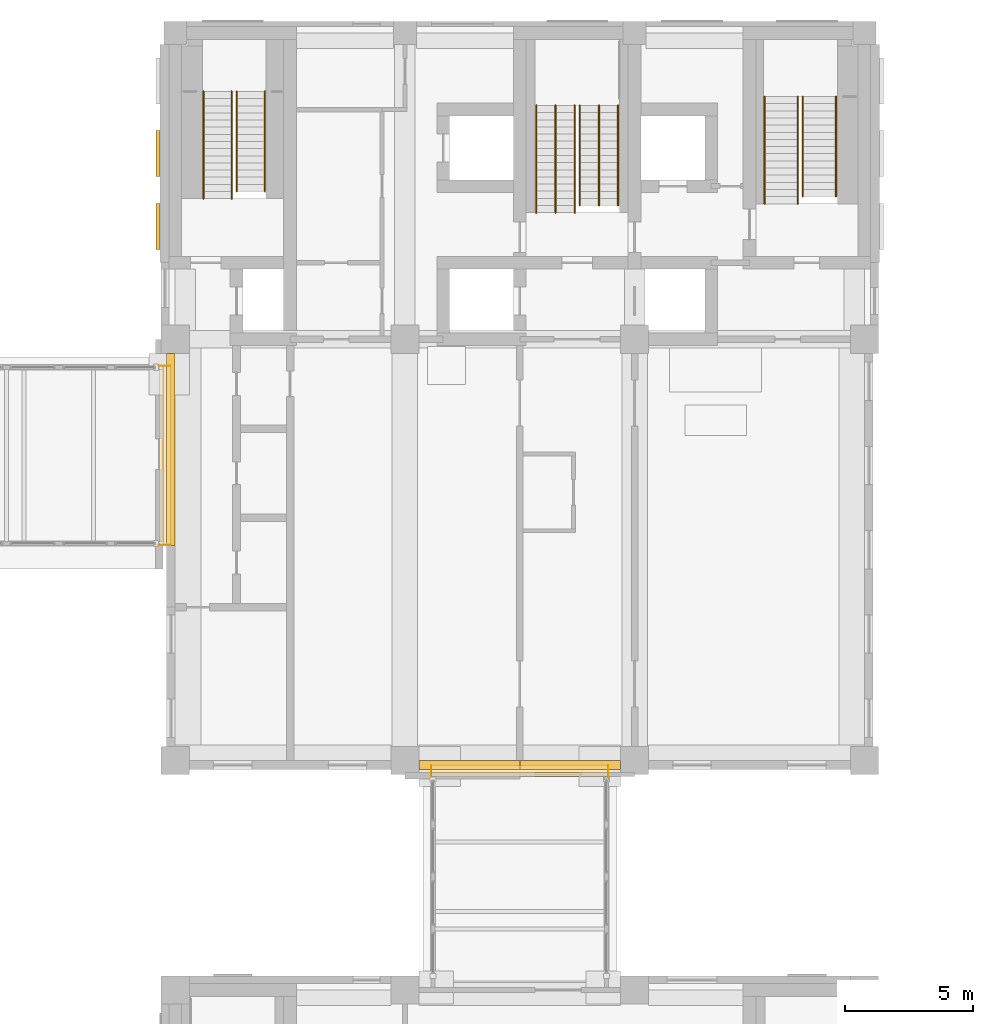
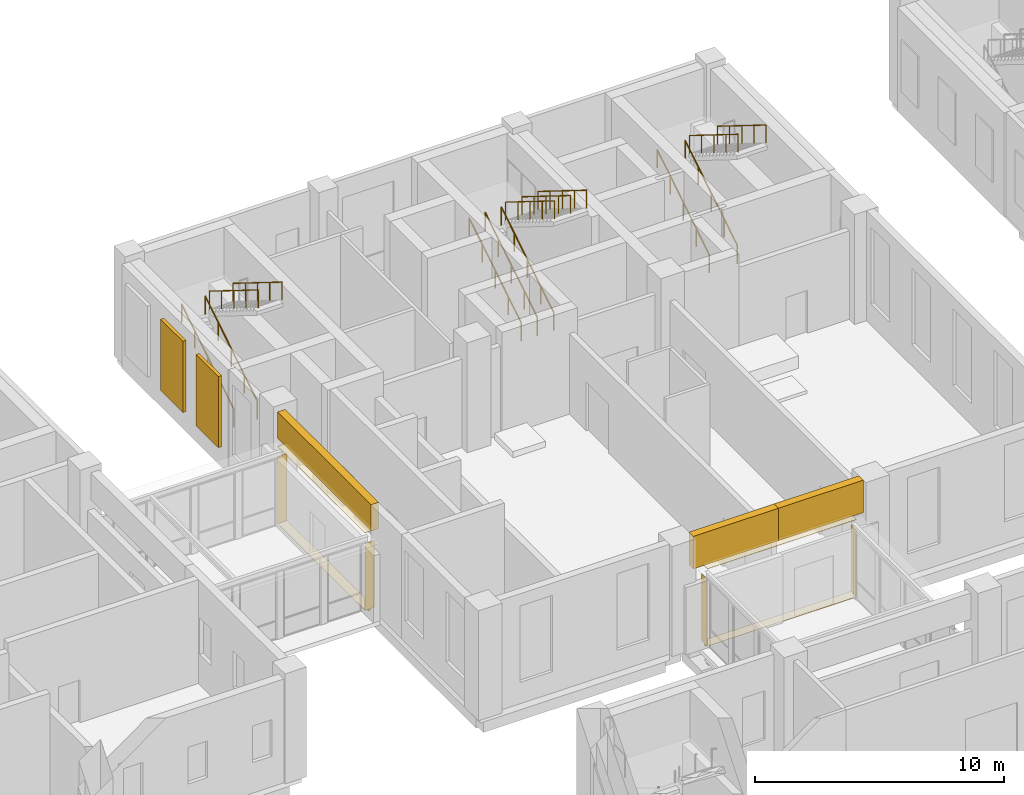
# One storey, part 46 of 52: 15 coverings, 14 railings.
"""IFC4 building model written with IfcOpenShell, lengths in metres."""

import ifcopenshell
import ifcopenshell.guid

model = None  # the IFC model being written
_history = None  # IfcOwnerHistory: only IFC2X3 demands one
_inside = {}  # id of a spatial element -> (the spatial element, [elements in it])
_under = {}  # id of a project, library or spatial element -> (it, [spatial elements below it])
_declared = {}  # id of a project -> (the project, [libraries it declares])
_typed = {}  # id of a type object -> (the type object, [elements of that type])
_made_of = {}  # id of a material, layer set ... -> (it, [elements and type objects made of it])


def new_model(schema):
    """Start an empty IFC model of exactly this schema.

    Asked for "IFC4X3", IfcOpenShell would pick the latest addendum, in which some entities
    have other attributes; the version numbers below select the first issue.
    IFC2X3 requires an IfcOwnerHistory on every rooted entity: one is made here for all.
    """
    global model, _history
    if schema == "IFC4X3":
        model = ifcopenshell.file(schema_version=(4, 3, 0, 0))
    else:
        model = ifcopenshell.file(schema=schema)
    _inside.clear()
    _under.clear()
    _declared.clear()
    _typed.clear()
    _made_of.clear()
    _history = None
    if model.schema == "IFC2X3":
        org = make("IfcOrganization", Name="unknown")
        user = make(
            "IfcPersonAndOrganization",
            ThePerson=make("IfcPerson", FamilyName="unknown"),
            TheOrganization=org,
        )
        app = make(
            "IfcApplication",
            ApplicationDeveloper=org,
            Version="unknown",
            ApplicationFullName="unknown",
            ApplicationIdentifier="unknown",
        )
        _history = make(
            "IfcOwnerHistory",
            OwningUser=user,
            OwningApplication=app,
            ChangeAction="ADDED",
            CreationDate=0,
        )
    return model


def make(cls, **values):
    """One entity of the class cls with the attributes given. An attribute that is None is left unset."""
    return model.create_entity(
        cls, **{name: value for name, value in values.items() if value is not None}
    )


def rooted(cls, **values):
    """An entity with a GlobalId (a new one), such as an element, a storey or a relation."""
    return make(cls, GlobalId=ifcopenshell.guid.new(), OwnerHistory=_history, **values)


def si_unit(unit_type, name, prefix=None):
    """IfcSIUnit, for example si_unit("LENGTHUNIT", "METRE", prefix="MILLI")."""
    return make("IfcSIUnit", UnitType=unit_type, Prefix=prefix, Name=name)


def assignment(units):
    """IfcUnitAssignment: the units of a project."""
    return None if units is None else make("IfcUnitAssignment", Units=units)


def point(xyz):
    """IfcCartesianPoint."""
    return None if xyz is None else make("IfcCartesianPoint", Coordinates=xyz)


def direction(xyz):
    """IfcDirection."""
    return None if xyz is None else make("IfcDirection", DirectionRatios=xyz)


def frame(location, z_axis=None, x_axis=None):
    """IfcAxis2Placement3D, a coordinate frame: its origin and axes. An axis left out is left unset."""
    return make(
        "IfcAxis2Placement3D",
        Location=point(location),
        Axis=direction(z_axis),
        RefDirection=direction(x_axis),
    )


def frame_2d(location, x_axis=None):
    """IfcAxis2Placement2D, a coordinate frame in the plane: its origin and x axis."""
    return make(
        "IfcAxis2Placement2D", Location=point(location), RefDirection=direction(x_axis)
    )


def origin():
    """The frame at (0, 0, 0) with its axes left unset."""
    return frame((0.0, 0.0, 0.0))


def origin_2d():
    """The frame at (0, 0) in the plane with its x axis left unset."""
    return frame_2d((0.0, 0.0))


def place(relative_to, where):
    """IfcLocalPlacement: puts the frame where relative to a parent placement (None: the world)."""
    return make(
        "IfcLocalPlacement", PlacementRelTo=relative_to, RelativePlacement=where
    )


def context(
    kind, dimensions, precision=None, world=None, true_north=None, identifier=None
):
    """IfcGeometricRepresentationContext, for example the 3D "Model" context."""
    return make(
        "IfcGeometricRepresentationContext",
        ContextIdentifier=identifier,
        ContextType=kind,
        CoordinateSpaceDimension=dimensions,
        Precision=precision,
        WorldCoordinateSystem=world,
        TrueNorth=true_north,
    )


def subcontext(parent, identifier, kind, view, scale=None):
    """IfcGeometricRepresentationSubContext, for example "Body" below "Model"."""
    return make(
        "IfcGeometricRepresentationSubContext",
        ContextIdentifier=identifier,
        ContextType=kind,
        ParentContext=parent,
        TargetScale=scale,
        TargetView=view,
    )


def project(units=None, contexts=None):
    """IfcProject with its units and contexts."""
    return rooted(
        "IfcProject",
        Name="project",
        RepresentationContexts=contexts,
        UnitsInContext=assignment(units),
    )


def spatial(cls, under=None, at=None, **own):
    """A site, building, storey or space (cls), placed at a placement, below another one or the project."""
    s = rooted(cls, ObjectPlacement=at, **own)
    if under is not None:
        _under.setdefault(under.id(), (under, []))[1].append(s)
    return s


def profile(cls, at=None, kind="AREA", **sizes):
    """A parametric profile (cls). Its sizes go by their IFC names, for example OverallWidth=200.0."""
    return make(cls, ProfileType=kind, Position=at, **sizes)


def rectangle(**sizes):
    """IfcRectangleProfileDef."""
    return profile("IfcRectangleProfileDef", **sizes)


def circle(**sizes):
    """IfcCircleProfileDef."""
    return profile("IfcCircleProfileDef", **sizes)


def extrude(swept, where, along, depth):
    """IfcExtrudedAreaSolid: the profile swept, set in the frame where, extruded along a direction by depth."""
    return make(
        "IfcExtrudedAreaSolid",
        SweptArea=swept,
        Position=where,
        ExtrudedDirection=direction(along),
        Depth=depth,
    )


def shape(context_of_items, identifier, shape_type, items):
    """IfcShapeRepresentation: the items that make up one representation, for example the "Body"."""
    return make(
        "IfcShapeRepresentation",
        ContextOfItems=context_of_items,
        RepresentationIdentifier=identifier,
        RepresentationType=shape_type,
        Items=items,
    )


def material(Name=None, Category=None):
    """IfcMaterial."""
    return make("IfcMaterial", Name=Name, Category=Category)


def layer(
    of_material, thickness, ventilated=None, Name=None, Category=None, Priority=None
):
    """IfcMaterialLayer: one layer of a wall or slab, of a material (None: an air gap)."""
    return make(
        "IfcMaterialLayer",
        Material=of_material,
        LayerThickness=thickness,
        IsVentilated=ventilated,
        Name=Name,
        Category=Category,
        Priority=Priority,
    )


def layer_set(layers, Name=None):
    """IfcMaterialLayerSet."""
    return make("IfcMaterialLayerSet", MaterialLayers=layers, LayerSetName=Name)


def made_of(thing, what):
    """Note that an element or type object is made of a material, layer set ...; save() writes the relation."""
    if what is not None:
        _made_of.setdefault(what.id(), (what, []))[1].append(thing)
    return thing


def type_object(cls, material=None, **own):
    """A type object (cls), such as IfcWallType, which elements share."""
    return made_of(rooted(cls, **own), material)


def element(
    cls,
    number,
    at=None,
    inside=None,
    cuts=None,
    type_object=None,
    material=None,
    context=None,
    identifier="Body",
    shape_type=None,
    held_by="IfcProductDefinitionShape",
    body=None,
    shapes=None,
    **own,
):
    """One element of the class cls, such as IfcWall. Its Tag is "e" and its number.

    at: its placement. inside: the storey or other place that contains it. cuts: it is an
    opening in that element (IfcRelVoidsElement). A single representation is given by context,
    identifier, shape_type and body (its items); several are given by shapes. held_by: the class
    of the entity that holds the representations. save() writes the other relations.
    """
    e = rooted(cls, Tag="e%d" % number, ObjectPlacement=at, **own)
    if body is not None:
        shapes = [shape(context, identifier, shape_type, body)]
    if shapes is not None:
        e.Representation = make(held_by, Representations=shapes)
    if inside is not None:
        _inside.setdefault(inside.id(), (inside, []))[1].append(e)
    if cuts is not None:
        rooted(
            "IfcRelVoidsElement", RelatingBuildingElement=cuts, RelatedOpeningElement=e
        )
    if type_object is not None:
        _typed.setdefault(type_object.id(), (type_object, []))[1].append(e)
    return made_of(e, material)


def aggregate(whole, parts):
    """IfcRelAggregates: a whole, such as a stair, and the parts it consists of."""
    return rooted("IfcRelAggregates", RelatingObject=whole, RelatedObjects=parts)


def save(model, path):
    """Write the relations noted so far, then the file.

    IfcRelAggregates (storeys below a building ...), IfcRelContainedInSpatialStructure (elements
    in a storey), IfcRelDefinesByType, IfcRelAssociatesMaterial and IfcRelDeclares: one each for
    every whole, place, type object, material and project.
    """
    for whole, parts in _under.values():
        aggregate(whole, parts)
    for where, things in _inside.values():
        rooted(
            "IfcRelContainedInSpatialStructure",
            RelatedElements=things,
            RelatingStructure=where,
        )
    for kind, things in _typed.values():
        rooted("IfcRelDefinesByType", RelatedObjects=things, RelatingType=kind)
    for what, things in _made_of.values():
        rooted("IfcRelAssociatesMaterial", RelatedObjects=things, RelatingMaterial=what)
    for by, libraries in _declared.values():
        rooted("IfcRelDeclares", RelatingContext=by, RelatedDefinitions=libraries)
    model.write(path)


model = new_model("IFC4")

# Units and contexts
model_context = context("Model", 3, precision=1e-05, world=origin(), true_north=direction((0.0, 1.0)))
body_context = subcontext(model_context, "Body", "Model", "MODEL_VIEW")
ifc_project = project(units=[si_unit("LENGTHUNIT", "METRE"), si_unit("AREAUNIT", "SQUARE_METRE"), si_unit("VOLUMEUNIT", "CUBIC_METRE"), si_unit("PLANEANGLEUNIT", "RADIAN"), si_unit("MASSUNIT", "GRAM", prefix="KILO")], contexts=[model_context])

# Site, building, storey
site_placement = place(None, origin())
site = spatial("IfcSite", under=ifc_project, at=site_placement, CompositionType="ELEMENT")
building_placement = place(site_placement, origin())
building = spatial("IfcBuilding", under=site, at=building_placement, Name="Aurelan Courthouse", CompositionType="ELEMENT")
storey_placement = place(building_placement, frame((0.0, 0.0, 6.60009765625)))
storey = spatial("IfcBuildingStorey", under=building, at=storey_placement, Name="L01", CompositionType="ELEMENT", Elevation=6.60009765625)

# Coverings
ifc_material_1 = material(Name="Granite cladding", Category="masonry")
ifc_layer_1 = layer(ifc_material_1, 0.35009765625)
ifc_layer_set_1 = layer_set([ifc_layer_1], Name="Granite cladding")
covering_type_1 = type_object("IfcCoveringType", Name="Granite infill panel 350", PredefinedType="CLADDING", material=ifc_layer_set_1)
for number, where, z_axis, x_axis, name in (
    (1, (47.52490234375, 37.324951171875, 3.7998046875), (0.0, 0.0, 1.0), (1.0, 0.0, 0.0), "Facade infill panel FI-V2-L01-001"),
    (2, (51.47509765625, 37.324951171875, 3.7998046875), (0.0, 0.0, 1.0), (1.0, 0.0, 0.0), "Facade infill panel FI-V2-L01-002"),
):
    element("IfcCovering", number, at=place(storey_placement, frame(where, z_axis=z_axis, x_axis=x_axis)), inside=storey, type_object=covering_type_1, Name=name, PredefinedType="CLADDING", context=body_context, shape_type="SweptSolid", body=[
        extrude(rectangle(XDim=3.949951171875, YDim=0.35009765625, at=origin_2d()), origin(), (0.0, 0.0, 1.0), 1.60009765625),
    ])
covering_1_placement = place(storey_placement, frame((35.824951171875, 49.6875, 3.7998046875), z_axis=(0.0, 0.0, 1.0), x_axis=(1.0, 0.0, 0.0)))
element("IfcCovering", 3, at=covering_1_placement, inside=storey, type_object=covering_type_1, Name="Facade infill panel FI-V2-L01-003", PredefinedType="CLADDING", context=body_context, shape_type="SweptSolid", body=[
    extrude(rectangle(XDim=0.35009765625, YDim=7.52490234375, at=origin_2d()), origin(), (0.0, 0.0, 1.0), 1.300048828125),
])
ifc_material_2 = material(Name="Stainless steel", Category="steel")
ifc_layer_2 = layer(ifc_material_2, 0.011962890625)
ifc_layer_set_2 = layer_set([ifc_layer_2], Name="Stainless steel")
covering_type_2 = type_object("IfcCoveringType", Name="Joint cover plate 450 x 12", PredefinedType="FLOORING", material=ifc_layer_set_2)
covering_2_placement = place(storey_placement, frame((49.5, 37.08740234375, 0.0), z_axis=(0.0, 0.0, 1.0), x_axis=(1.0, 0.0, 0.0)))
element("IfcCovering", 4, at=covering_2_placement, inside=storey, type_object=covering_type_2, Name="Floor joint cover JC-F3", PredefinedType="FLOORING", context=body_context, shape_type="SweptSolid", body=[
    extrude(rectangle(XDim=6.919921875, YDim=0.449951171875, at=origin_2d()), origin(), (0.0, 0.0, 1.0), 0.011962890625),
])
covering_3_placement = place(storey_placement, frame((35.58740234375, 49.449951171875, 0.0), z_axis=(0.0, 0.0, 1.0), x_axis=(1.0, 0.0, 0.0)))
element("IfcCovering", 5, at=covering_3_placement, inside=storey, type_object=covering_type_2, Name="Floor joint cover JC-F4", PredefinedType="FLOORING", context=body_context, shape_type="SweptSolid", body=[
    extrude(rectangle(XDim=0.449951171875, YDim=7.02001953125, at=origin_2d()), origin(), (0.0, 0.0, 1.0), 0.011962890625),
])
ifc_material_3 = material(Name="Waterproofing membrane")
ifc_layer_3 = layer(ifc_material_3, 0.10009765625)
ifc_layer_set_3 = layer_set([ifc_layer_3], Name="Waterproofing membrane")
covering_type_3 = type_object("IfcCoveringType", Name="Joint seal 125 x 100", PredefinedType="MEMBRANE", material=ifc_layer_set_3)
covering_4_placement = place(storey_placement, frame((49.5, 37.08740234375, -0.10009765625), z_axis=(0.0, 0.0, 1.0), x_axis=(1.0, 0.0, 0.0)))
element("IfcCovering", 6, at=covering_4_placement, inside=storey, type_object=covering_type_3, Name="Joint seal JS-3", PredefinedType="MEMBRANE", context=body_context, shape_type="SweptSolid", body=[
    extrude(rectangle(XDim=6.919921875, YDim=0.125, at=origin_2d()), origin(), (0.0, 0.0, 1.0), 0.10009765625),
])
covering_5_placement = place(storey_placement, frame((35.58740234375, 49.449951171875, -0.10009765625), z_axis=(0.0, 0.0, 1.0), x_axis=(1.0, 0.0, 0.0)))
element("IfcCovering", 7, at=covering_5_placement, inside=storey, type_object=covering_type_3, Name="Joint seal JS-4", PredefinedType="MEMBRANE", context=body_context, shape_type="SweptSolid", body=[
    extrude(rectangle(XDim=0.125, YDim=7.02001953125, at=origin_2d()), origin(), (0.0, 0.0, 1.0), 0.10009765625),
])
ifc_material_4 = material(Name="Bronze sheet cladding")
ifc_layer_4 = layer(ifc_material_4, 0.14990234375)
ifc_layer_set_4 = layer_set([ifc_layer_4], Name="Bronze sheet cladding")
covering_type_4 = type_object("IfcCoveringType", Name="Relief panel 1800 x 3500 x 150", PredefinedType="CLADDING", material=ifc_layer_set_4)
for number, where, z_axis, x_axis, name in (
    (8, (35.324951171875, 58.425048828125, 1.0), (0.0, 0.0, 1.0), (1.0, 0.0, 0.0), "Relief panel RP-V2-006"),
    (9, (35.324951171875, 61.27490234375, 1.0), (0.0, 0.0, 1.0), (1.0, 0.0, 0.0), "Relief panel RP-V2-007"),
):
    element("IfcCovering", number, at=place(storey_placement, frame(where, z_axis=z_axis, x_axis=x_axis)), inside=storey, type_object=covering_type_4, Name=name, PredefinedType="CLADDING", context=body_context, shape_type="SweptSolid", body=[
        extrude(rectangle(XDim=0.14990234375, YDim=1.800048828125, at=origin_2d()), origin(), (0.0, 0.0, 1.0), 3.5),
    ])
ifc_material_5 = material(Name="Zinc standing-seam cladding")
ifc_layer_5 = layer(ifc_material_5, 0.011962890625)
ifc_layer_set_5 = layer_set([ifc_layer_5], Name="Zinc standing-seam cladding")
covering_type_5 = type_object("IfcCoveringType", Name="Roof joint cover 450 x 12", PredefinedType="ROOFING", material=ifc_layer_set_5)
covering_6_placement = place(storey_placement, frame((49.5, 37.08740234375, 3.7998046875), z_axis=(0.0, 0.0, 1.0), x_axis=(1.0, 0.0, 0.0)))
element("IfcCovering", 10, at=covering_6_placement, inside=storey, type_object=covering_type_5, Name="Roof joint cover JC-R3", PredefinedType="ROOFING", context=body_context, shape_type="SweptSolid", body=[
    extrude(rectangle(XDim=6.919921875, YDim=0.449951171875, at=origin_2d()), origin(), (0.0, 0.0, 1.0), 0.011962890625),
])
covering_7_placement = place(storey_placement, frame((35.58740234375, 49.449951171875, 3.7998046875), z_axis=(0.0, 0.0, 1.0), x_axis=(1.0, 0.0, 0.0)))
element("IfcCovering", 11, at=covering_7_placement, inside=storey, type_object=covering_type_5, Name="Roof joint cover JC-R4", PredefinedType="ROOFING", context=body_context, shape_type="SweptSolid", body=[
    extrude(rectangle(XDim=0.449951171875, YDim=7.02001953125, at=origin_2d()), origin(), (0.0, 0.0, 1.0), 0.011962890625),
])

# Railings
ifc_material_6 = material(Name="Steel S355", Category="steel")
railing_type = type_object("IfcRailingType", Name="Stair handrail 900", PredefinedType="HANDRAIL", material=ifc_material_6)
for number, where, name in (
    (12, (37.110107421875, 59.510009765625, 0.174072265625), "Handrail CS-2-L01-H1"),
    (13, (38.2099609375, 59.510009765625, 0.174072265625), "Handrail CS-2-L01-H2"),
):
    element("IfcRailing", number, at=place(storey_placement, frame(where)), inside=storey, type_object=railing_type, Name=name, PredefinedType="HANDRAIL", context=body_context, shape_type="SweptSolid", body=[
        extrude(circle(Radius=0.02392578125, at=origin_2d()), frame((0.0, 0.0, 0.8759765625), z_axis=(0.0, 0.849080710111, 0.528263142494), x_axis=(-1.0, 0.0, 0.0)), (0.0, 0.0, 1.0), 4.946533203125),
        extrude(circle(Radius=0.02099609375, at=origin_2d()), origin(), (0.0, 0.0, 1.0), 0.851806640625),
        extrude(circle(Radius=0.02099609375, at=origin_2d()), frame((0.0, 1.050048828125, 0.6533203125)), (0.0, 0.0, 1.0), 0.851806640625),
        extrude(circle(Radius=0.02099609375, at=origin_2d()), frame((0.0, 2.10009765625, 1.306640625)), (0.0, 0.0, 1.0), 0.851806640625),
        extrude(circle(Radius=0.02099609375, at=origin_2d()), frame((0.0, 3.14990234375, 1.959716796875)), (0.0, 0.0, 1.0), 0.851806640625),
        extrude(circle(Radius=0.02099609375, at=origin_2d()), frame((0.0, 4.199951171875, 2.613037109375)), (0.0, 0.0, 1.0), 0.851806640625),
    ])
for number, where, name in (
    (14, (38.409912109375, 63.7099609375, 2.961181640625), "Handrail CS-2-L01-H3"),
    (15, (39.510009765625, 63.7099609375, 2.961181640625), "Handrail CS-2-L01-H4"),
):
    element("IfcRailing", number, at=place(storey_placement, frame(where)), inside=storey, type_object=railing_type, Name=name, PredefinedType="HANDRAIL", context=body_context, shape_type="SweptSolid", body=[
        extrude(circle(Radius=0.02392578125, at=origin_2d()), frame((0.0, 0.0, 0.8759765625), z_axis=(0.0, -0.849089811655, 0.528248513243), x_axis=(1.0, 0.0, 0.0)), (0.0, 0.0, 1.0), 4.61669921875),
        extrude(circle(Radius=0.02099609375, at=origin_2d()), origin(), (0.0, 0.0, 1.0), 0.851806640625),
        extrude(circle(Radius=0.02099609375, at=origin_2d()), frame((0.0, -0.97998046875, 0.609619140625)), (0.0, 0.0, 1.0), 0.851806640625),
        extrude(circle(Radius=0.02099609375, at=origin_2d()), frame((0.0, -1.9599609375, 1.21923828125)), (0.0, 0.0, 1.0), 0.851806640625),
        extrude(circle(Radius=0.02099609375, at=origin_2d()), frame((0.0, -2.93994140625, 1.8291015625)), (0.0, 0.0, 1.0), 0.851806640625),
        extrude(circle(Radius=0.02099609375, at=origin_2d()), frame((0.0, -3.919921875, 2.438720703125)), (0.0, 0.0, 1.0), 0.851806640625),
    ])
for number, where, name in (
    (16, (50.14990234375, 58.9599609375, 0.174072265625), "Handrail ST-2A-L01-H1"),
    (17, (51.64990234375, 58.9599609375, 0.174072265625), "Handrail ST-2A-L01-H2"),
    (18, (50.89990234375, 58.9599609375, 0.174072265625), "Handrail ST-2A-L01-H3"),
):
    element("IfcRailing", number, at=place(storey_placement, frame(where)), inside=storey, type_object=railing_type, Name=name, PredefinedType="HANDRAIL", context=body_context, shape_type="SweptSolid", body=[
        extrude(circle(Radius=0.02392578125, at=origin_2d()), frame((0.0, 0.0, 0.8759765625), z_axis=(0.0, 0.849080710111, 0.528263142494), x_axis=(-1.0, 0.0, 0.0)), (0.0, 0.0, 1.0), 4.946533203125),
        extrude(circle(Radius=0.02099609375, at=origin_2d()), origin(), (0.0, 0.0, 1.0), 0.851806640625),
        extrude(circle(Radius=0.02099609375, at=origin_2d()), frame((0.0, 1.050048828125, 0.6533203125)), (0.0, 0.0, 1.0), 0.851806640625),
        extrude(circle(Radius=0.02099609375, at=origin_2d()), frame((0.0, 2.10009765625, 1.306640625)), (0.0, 0.0, 1.0), 0.851806640625),
        extrude(circle(Radius=0.02099609375, at=origin_2d()), frame((0.0, 3.14990234375, 1.959716796875)), (0.0, 0.0, 1.0), 0.851806640625),
        extrude(circle(Radius=0.02099609375, at=origin_2d()), frame((0.0, 4.199951171875, 2.613037109375)), (0.0, 0.0, 1.0), 0.851806640625),
    ])
for number, where, name in (
    (19, (51.85009765625, 63.159912109375, 2.961181640625), "Handrail ST-2A-L01-H4"),
    (20, (53.35009765625, 63.159912109375, 2.961181640625), "Handrail ST-2A-L01-H5"),
    (21, (52.60009765625, 63.159912109375, 2.961181640625), "Handrail ST-2A-L01-H6"),
):
    element("IfcRailing", number, at=place(storey_placement, frame(where)), inside=storey, type_object=railing_type, Name=name, PredefinedType="HANDRAIL", context=body_context, shape_type="SweptSolid", body=[
        extrude(circle(Radius=0.02392578125, at=origin_2d()), frame((0.0, 0.0, 0.8759765625), z_axis=(0.0, -0.849089811655, 0.528248513243), x_axis=(1.0, 0.0, 0.0)), (0.0, 0.0, 1.0), 4.61669921875),
        extrude(circle(Radius=0.02099609375, at=origin_2d()), origin(), (0.0, 0.0, 1.0), 0.851806640625),
        extrude(circle(Radius=0.02099609375, at=origin_2d()), frame((0.0, -0.97998046875, 0.609619140625)), (0.0, 0.0, 1.0), 0.851806640625),
        extrude(circle(Radius=0.02099609375, at=origin_2d()), frame((0.0, -1.9599609375, 1.21923828125)), (0.0, 0.0, 1.0), 0.851806640625),
        extrude(circle(Radius=0.02099609375, at=origin_2d()), frame((0.0, -2.93994140625, 1.8291015625)), (0.0, 0.0, 1.0), 0.851806640625),
        extrude(circle(Radius=0.02099609375, at=origin_2d()), frame((0.0, -3.919921875, 2.438720703125)), (0.0, 0.0, 1.0), 0.851806640625),
    ])
for number, where, name in (
    (22, (59.090087890625, 59.31005859375, 0.174072265625), "Handrail ST-2E-L01-H1"),
    (23, (60.389892578125, 59.31005859375, 0.174072265625), "Handrail ST-2E-L01-H2"),
):
    element("IfcRailing", number, at=place(storey_placement, frame(where)), inside=storey, type_object=railing_type, Name=name, PredefinedType="HANDRAIL", context=body_context, shape_type="SweptSolid", body=[
        extrude(circle(Radius=0.02392578125, at=origin_2d()), frame((0.0, 0.0, 0.8759765625), z_axis=(0.0, 0.849080710111, 0.528263142494), x_axis=(-1.0, 0.0, 0.0)), (0.0, 0.0, 1.0), 4.946533203125),
        extrude(circle(Radius=0.02099609375, at=origin_2d()), origin(), (0.0, 0.0, 1.0), 0.851806640625),
        extrude(circle(Radius=0.02099609375, at=origin_2d()), frame((0.0, 1.050048828125, 0.6533203125)), (0.0, 0.0, 1.0), 0.851806640625),
        extrude(circle(Radius=0.02099609375, at=origin_2d()), frame((0.0, 2.10009765625, 1.306640625)), (0.0, 0.0, 1.0), 0.851806640625),
        extrude(circle(Radius=0.02099609375, at=origin_2d()), frame((0.0, 3.14990234375, 1.959716796875)), (0.0, 0.0, 1.0), 0.851806640625),
        extrude(circle(Radius=0.02099609375, at=origin_2d()), frame((0.0, 4.199951171875, 2.613037109375)), (0.0, 0.0, 1.0), 0.851806640625),
    ])
for number, where, name in (
    (24, (60.590087890625, 63.510009765625, 2.961181640625), "Handrail ST-2E-L01-H3"),
    (25, (61.889892578125, 63.510009765625, 2.961181640625), "Handrail ST-2E-L01-H4"),
):
    element("IfcRailing", number, at=place(storey_placement, frame(where)), inside=storey, type_object=railing_type, Name=name, PredefinedType="HANDRAIL", context=body_context, shape_type="SweptSolid", body=[
        extrude(circle(Radius=0.02392578125, at=origin_2d()), frame((0.0, 0.0, 0.8759765625), z_axis=(0.0, -0.849089811655, 0.528248513243), x_axis=(1.0, 0.0, 0.0)), (0.0, 0.0, 1.0), 4.61669921875),
        extrude(circle(Radius=0.02099609375, at=origin_2d()), origin(), (0.0, 0.0, 1.0), 0.851806640625),
        extrude(circle(Radius=0.02099609375, at=origin_2d()), frame((0.0, -0.97998046875, 0.609619140625)), (0.0, 0.0, 1.0), 0.851806640625),
        extrude(circle(Radius=0.02099609375, at=origin_2d()), frame((0.0, -1.9599609375, 1.21923828125)), (0.0, 0.0, 1.0), 0.851806640625),
        extrude(circle(Radius=0.02099609375, at=origin_2d()), frame((0.0, -2.93994140625, 1.8291015625)), (0.0, 0.0, 1.0), 0.851806640625),
        extrude(circle(Radius=0.02099609375, at=origin_2d()), frame((0.0, -3.919921875, 2.438720703125)), (0.0, 0.0, 1.0), 0.851806640625),
    ])

# Coverings
ifc_layer_6 = layer(ifc_material_4, 0.011962890625)
ifc_layer_set_6 = layer_set([ifc_layer_6], Name="Bronze sheet cladding")
covering_type_6 = type_object("IfcCoveringType", Name="Wall joint cover 450 x 12", PredefinedType="CLADDING", material=ifc_layer_set_6)
for number, where, z_axis, x_axis, name in (
    (26, (46.033935546875, 37.08740234375, 0.011962890625), (0.0, 0.0, 1.0), (1.0, 0.0, 0.0), "Wall joint cover JC-W5"),
    (27, (52.966064453125, 37.08740234375, 0.011962890625), (0.0, 0.0, 1.0), (1.0, 0.0, 0.0), "Wall joint cover JC-W6"),
):
    element("IfcCovering", number, at=place(storey_placement, frame(where, z_axis=z_axis, x_axis=x_axis)), inside=storey, type_object=covering_type_6, Name=name, PredefinedType="CLADDING", context=body_context, shape_type="SweptSolid", body=[
        extrude(rectangle(XDim=0.011962890625, YDim=0.449951171875, at=origin_2d()), origin(), (0.0, 0.0, 1.0), 3.2880859375),
    ])
for number, where, z_axis, x_axis, name in (
    (28, (35.58740234375, 45.93408203125, 0.011962890625), (0.0, 0.0, 1.0), (1.0, 0.0, 0.0), "Wall joint cover JC-W7"),
    (29, (35.58740234375, 52.966064453125, 0.011962890625), (0.0, 0.0, 1.0), (1.0, 0.0, 0.0), "Wall joint cover JC-W8"),
):
    element("IfcCovering", number, at=place(storey_placement, frame(where, z_axis=z_axis, x_axis=x_axis)), inside=storey, type_object=covering_type_6, Name=name, PredefinedType="CLADDING", context=body_context, shape_type="SweptSolid", body=[
        extrude(rectangle(XDim=0.449951171875, YDim=0.011962890625, at=origin_2d()), origin(), (0.0, 0.0, 1.0), 3.2880859375),
    ])

save(model, "model.ifc")
